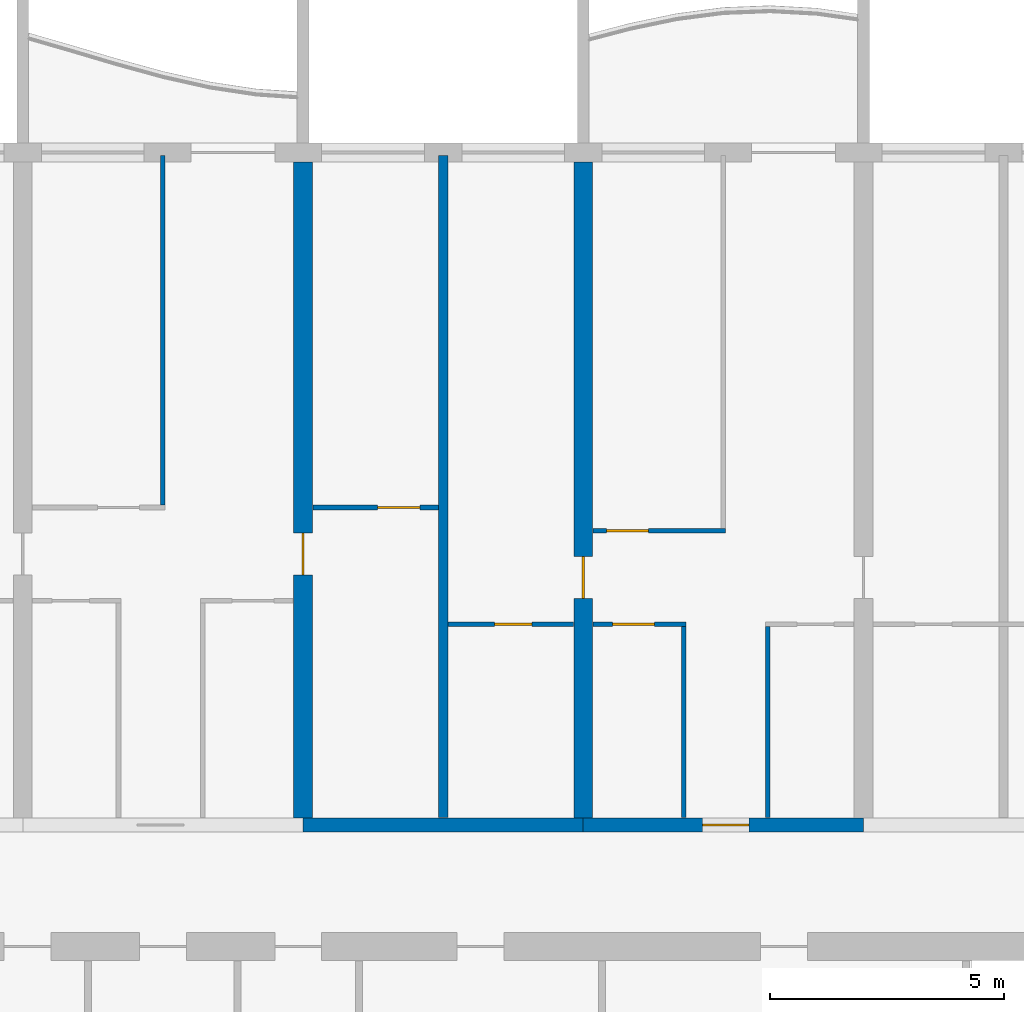
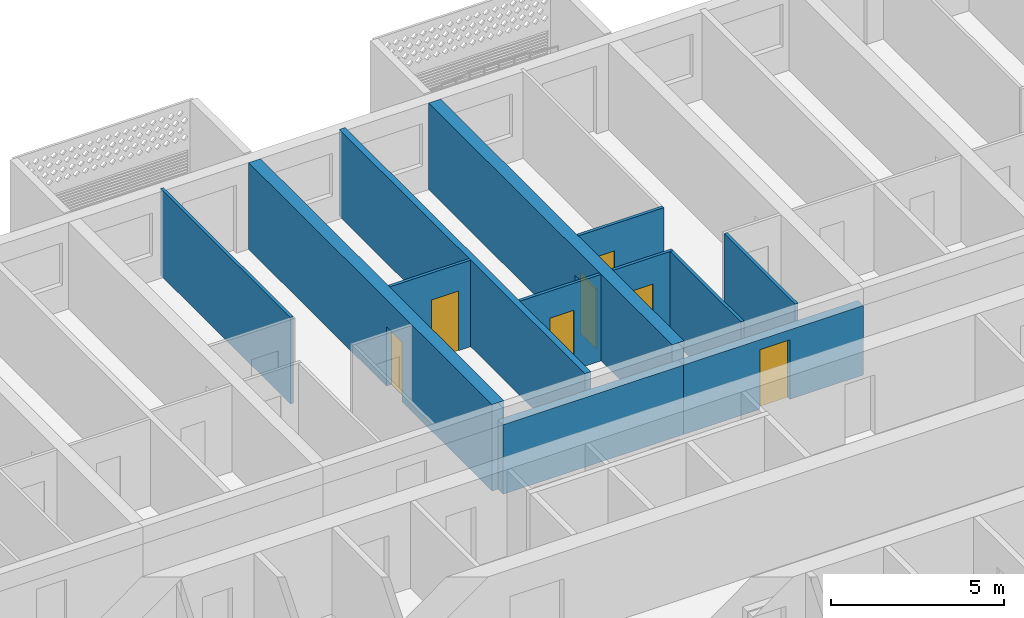
# One storey, part 12 of 40: 12 walls, 7 doors, 7 openings.
"""IFC4 building model written with IfcOpenShell, lengths in metres."""

from ifc_helpers import new_model, si_unit, direction, frame, frame_2d, origin, place, context, subcontext, project, spatial, rectangle, extrude, material, layer, layer_set, type_object, element, fill, save


model = new_model("IFC4")

# Units and contexts
model_context = context("Model", 3, precision=1e-05, world=origin(), true_north=direction((0.0, 1.0)))
body_context = subcontext(model_context, "Body", "Model", "MODEL_VIEW")
ifc_project = project(units=[si_unit("LENGTHUNIT", "METRE"), si_unit("AREAUNIT", "SQUARE_METRE"), si_unit("VOLUMEUNIT", "CUBIC_METRE"), si_unit("PLANEANGLEUNIT", "RADIAN"), si_unit("MASSUNIT", "GRAM", prefix="KILO")], contexts=[model_context])

# Site, building, storey
site_placement = place(None, origin())
site = spatial("IfcSite", under=ifc_project, at=site_placement, CompositionType="ELEMENT")
building_placement = place(site_placement, origin())
building = spatial("IfcBuilding", under=site, at=building_placement, Name="Poui Terraces", CompositionType="ELEMENT")
storey_placement = place(building_placement, frame((0.0, 0.0, 39.89990234375)))
storey = spatial("IfcBuildingStorey", under=building, at=storey_placement, Name="L10", CompositionType="ELEMENT", Elevation=39.89990234375)

# Wall
ifc_material_1 = material(Name="Concrete 80 MPa", Category="concrete")
ifc_layer_1 = layer(ifc_material_1, 0.300048828125)
ifc_layer_set_1 = layer_set([ifc_layer_1], Name="Concrete 80 MPa")
wall_type_1 = type_object("IfcWallType", Name="CORRIDOR WALL 300 80MPa", PredefinedType="SHEAR", material=ifc_layer_set_1)
wall_1_placement = place(storey_placement, frame((54.0, 30.39990234375, 0.0), z_axis=(0.0, 0.0, 1.0), x_axis=(1.0, 0.0, 0.0)))
element("IfcWall", 1, at=wall_1_placement, inside=storey, type_object=wall_type_1, Name="CORRIDOR WALL LINE E BAY 10", PredefinedType="SHEAR", context=body_context, shape_type="SweptSolid", body=[
    extrude(rectangle(XDim=6.0, YDim=0.300048828125, at=frame_2d((3.0, 0.0))), origin(), (0.0, 0.0, 1.0), 2.4501953125),
])

# Wall, opening, door
wall_2_placement = place(storey_placement, frame((60.0, 30.39990234375, 0.0), z_axis=(0.0, 0.0, 1.0), x_axis=(1.0, 0.0, 0.0)))
wall_2 = element("IfcWall", 2, at=wall_2_placement, inside=storey, type_object=wall_type_1, Name="CORRIDOR WALL LINE E BAY 11", PredefinedType="SHEAR", context=body_context, shape_type="SweptSolid", body=[
    extrude(rectangle(XDim=6.0, YDim=0.300048828125, at=frame_2d((3.0, 0.0))), origin(), (0.0, 0.0, 1.0), 2.4501953125),
])
opening_1_placement = place(wall_2_placement, frame((2.550048828125, 0.0, 0.0)))
opening_1 = element("IfcOpeningElement", 3, at=opening_1_placement, cuts=wall_2, Name="Opening FD30S", PredefinedType="OPENING", context=body_context, shape_type="SweptSolid", body=[
    extrude(rectangle(XDim=1.0, YDim=2.10009765625, at=frame_2d((0.5, 1.050048828125))), frame((0.0, 0.16015625, 0.0), z_axis=(0.0, -1.0, 0.0), x_axis=(1.0, 0.0, 0.0)), (0.0, 0.0, 1.0), 0.320068359375),
])
ifc_material_2 = material(Name="Steel fire door", Category="steel")
door_type_1 = type_object("IfcDoorType", Name="FLAT ENTRANCE DOOR 1000 X 2100", OperationType="NOTDEFINED", PredefinedType="DOOR", material=ifc_material_2)
door_1_placement = place(opening_1_placement, origin())
door_1 = element("IfcDoor", 4, at=door_1_placement, inside=storey, type_object=door_type_1, Name="FLAT ENTRANCE DOOR 068", OperationType="SINGLE_SWING_RIGHT", OverallHeight=2.10009765625, OverallWidth=1.0, PredefinedType="DOOR", context=body_context, shape_type="SweptSolid", body=[
    extrude(rectangle(XDim=1.0, YDim=2.10009765625, at=frame_2d((0.5, 1.050048828125))), frame((0.0, 0.02490234375, 0.0), z_axis=(0.0, -1.0, 0.0), x_axis=(1.0, 0.0, 0.0)), (0.0, 0.0, 1.0), 0.050048828125),
])
fill(opening_1, door_1)

ifc_layer_2 = layer(ifc_material_1, 0.39990234375)
ifc_layer_set_2 = layer_set([ifc_layer_2], Name="Concrete 80 MPa")
wall_type_2 = type_object("IfcWallType", Name="CROSS WALL 400 80MPa", PredefinedType="SHEAR", material=ifc_layer_set_2)
wall_3_placement = place(storey_placement, frame((54.0, 30.550048828125, 0.0), z_axis=(0.0, 0.0, 1.0), x_axis=(0.0, 1.0, 0.0)))
wall_3 = element("IfcWall", 5, at=wall_3_placement, inside=storey, type_object=wall_type_2, Name="CROSS WALL LINE 10 NORTH", PredefinedType="SHEAR", context=body_context, shape_type="SweptSolid", body=[
    extrude(rectangle(XDim=14.050048828125, YDim=0.39990234375, at=frame_2d((7.02490234375, 0.0))), origin(), (0.0, 0.0, 1.0), 3.050048828125),
])
opening_2_placement = place(wall_3_placement, frame((5.199951171875, 0.0, 0.0)))
opening_2 = element("IfcOpeningElement", 6, at=opening_2_placement, cuts=wall_3, Name="Opening D90", PredefinedType="OPENING", context=body_context, shape_type="SweptSolid", body=[
    extrude(rectangle(XDim=0.89990234375, YDim=2.10009765625, at=frame_2d((0.449951171875, 1.050048828125))), frame((0.0, 0.2099609375, 0.0), z_axis=(0.0, -1.0, 0.0), x_axis=(1.0, 0.0, 0.0)), (0.0, 0.0, 1.0), 0.419921875),
])
ifc_material_3 = material(Name="Solid core timber door", Category="wood")
door_type_2 = type_object("IfcDoorType", Name="INTERNAL DOOR 900 X 2100", OperationType="NOTDEFINED", PredefinedType="DOOR", material=ifc_material_3)
door_2_placement = place(opening_2_placement, origin())
door_2 = element("IfcDoor", 7, at=door_2_placement, inside=storey, type_object=door_type_2, Name="INTERNAL DOOR 062", OperationType="SINGLE_SWING_LEFT", OverallHeight=2.10009765625, OverallWidth=0.89990234375, PredefinedType="DOOR", context=body_context, shape_type="SweptSolid", body=[
    extrude(rectangle(XDim=0.89990234375, YDim=2.10009765625, at=frame_2d((0.449951171875, 1.050048828125))), frame((0.0, 0.02490234375, 0.0), z_axis=(0.0, -1.0, 0.0), x_axis=(1.0, 0.0, 0.0)), (0.0, 0.0, 1.0), 0.050048828125),
])
fill(opening_2, door_2)

wall_4_placement = place(storey_placement, frame((60.0, 30.550048828125, 0.0), z_axis=(0.0, 0.0, 1.0), x_axis=(0.0, 1.0, 0.0)))
wall_4 = element("IfcWall", 8, at=wall_4_placement, inside=storey, type_object=wall_type_2, Name="CROSS WALL LINE 11 NORTH", PredefinedType="SHEAR", context=body_context, shape_type="SweptSolid", body=[
    extrude(rectangle(XDim=14.050048828125, YDim=0.39990234375, at=frame_2d((7.02490234375, 0.0))), origin(), (0.0, 0.0, 1.0), 3.050048828125),
])
opening_3_placement = place(wall_4_placement, frame((4.699951171875, 0.0, 0.0)))
opening_3 = element("IfcOpeningElement", 9, at=opening_3_placement, cuts=wall_4, Name="Opening D90", PredefinedType="OPENING", context=body_context, shape_type="SweptSolid", body=[
    extrude(rectangle(XDim=0.89990234375, YDim=2.10009765625, at=frame_2d((0.449951171875, 1.050048828125))), frame((0.0, 0.2099609375, 0.0), z_axis=(0.0, -1.0, 0.0), x_axis=(1.0, 0.0, 0.0)), (0.0, 0.0, 1.0), 0.419921875),
])
door_3_placement = place(opening_3_placement, origin())
door_3 = element("IfcDoor", 10, at=door_3_placement, inside=storey, type_object=door_type_2, Name="INTERNAL DOOR 065", OperationType="SINGLE_SWING_LEFT", OverallHeight=2.10009765625, OverallWidth=0.89990234375, PredefinedType="DOOR", context=body_context, shape_type="SweptSolid", body=[
    extrude(rectangle(XDim=0.89990234375, YDim=2.10009765625, at=frame_2d((0.449951171875, 1.050048828125))), frame((0.0, 0.02490234375, 0.0), z_axis=(0.0, -1.0, 0.0), x_axis=(1.0, 0.0, 0.0)), (0.0, 0.0, 1.0), 0.050048828125),
])
fill(opening_3, door_3)

ifc_material_4 = material(Name="Plasterboard partition")
ifc_layer_3 = layer(ifc_material_4, 0.10009765625)
ifc_layer_set_3 = layer_set([ifc_layer_3], Name="Plasterboard partition")
wall_type_3 = type_object("IfcWallType", Name="FLAT PARTITION 100", PredefinedType="PARTITIONING", material=ifc_layer_set_3)
wall_5_placement = place(storey_placement, frame((57.10009765625, 34.699951171875, 0.0), z_axis=(0.0, 0.0, 1.0), x_axis=(1.0, 0.0, 0.0)))
wall_5 = element("IfcWall", 11, at=wall_5_placement, inside=storey, type_object=wall_type_3, Name="FLAT PARTITION 100", PredefinedType="PARTITIONING", context=body_context, shape_type="SweptSolid", body=[
    extrude(rectangle(XDim=2.68994140625, YDim=0.10009765625, at=frame_2d((1.344970703125, 0.0))), origin(), (0.0, 0.0, 1.0), 3.050048828125),
])
opening_4_placement = place(wall_5_placement, frame((1.0, 0.0, 0.0)))
opening_4 = element("IfcOpeningElement", 12, at=opening_4_placement, cuts=wall_5, Name="Opening D80", PredefinedType="OPENING", context=body_context, shape_type="SweptSolid", body=[
    extrude(rectangle(XDim=0.800048828125, YDim=2.10009765625, at=frame_2d((0.39990234375, 1.050048828125))), frame((0.0, 0.06005859375, 0.0), z_axis=(0.0, -1.0, 0.0), x_axis=(1.0, 0.0, 0.0)), (0.0, 0.0, 1.0), 0.1201171875),
])
door_type_3 = type_object("IfcDoorType", Name="BATHROOM, LAUNDRY AND STORE DOOR 800 X 2100", OperationType="NOTDEFINED", PredefinedType="DOOR", material=ifc_material_3)
door_4_placement = place(opening_4_placement, frame((0.800048828125, 0.0, 0.0), z_axis=(0.0, 0.0, 1.0), x_axis=(-1.0, 0.0, 0.0)))
door_4 = element("IfcDoor", 13, at=door_4_placement, inside=storey, type_object=door_type_3, Name="BATHROOM, LAUNDRY AND STORE DOOR 063", OperationType="SINGLE_SWING_RIGHT", OverallHeight=2.10009765625, OverallWidth=0.800048828125, PredefinedType="DOOR", context=body_context, shape_type="SweptSolid", body=[
    extrude(rectangle(XDim=0.800048828125, YDim=2.10009765625, at=frame_2d((0.39990234375, 1.050048828125))), frame((0.0, 0.02490234375, 0.0), z_axis=(0.0, -1.0, 0.0), x_axis=(1.0, 0.0, 0.0)), (0.0, 0.0, 1.0), 0.050048828125),
])
fill(opening_4, door_4)

wall_6_placement = place(storey_placement, frame((60.2099609375, 34.699951171875, 0.0), z_axis=(0.0, 0.0, 1.0), x_axis=(1.0, 0.0, 0.0)))
wall_6 = element("IfcWall", 14, at=wall_6_placement, inside=storey, type_object=wall_type_3, Name="FLAT PARTITION 100", PredefinedType="PARTITIONING", context=body_context, shape_type="SweptSolid", body=[
    extrude(rectangle(XDim=1.989990234375, YDim=0.10009765625, at=frame_2d((0.9951171875, 0.0))), origin(), (0.0, 0.0, 1.0), 3.050048828125),
])
opening_5_placement = place(wall_6_placement, frame((0.4150390625, 0.0, 0.0)))
opening_5 = element("IfcOpeningElement", 15, at=opening_5_placement, cuts=wall_6, Name="Opening D90", PredefinedType="OPENING", context=body_context, shape_type="SweptSolid", body=[
    extrude(rectangle(XDim=0.89990234375, YDim=2.10009765625, at=frame_2d((0.449951171875, 1.050048828125))), frame((0.0, 0.06005859375, 0.0), z_axis=(0.0, -1.0, 0.0), x_axis=(1.0, 0.0, 0.0)), (0.0, 0.0, 1.0), 0.1201171875),
])
door_5_placement = place(opening_5_placement, frame((0.89990234375, 0.0, 0.0), z_axis=(0.0, 0.0, 1.0), x_axis=(-1.0, 0.0, 0.0)))
door_5 = element("IfcDoor", 16, at=door_5_placement, inside=storey, type_object=door_type_2, Name="INTERNAL DOOR 067", OperationType="SINGLE_SWING_RIGHT", OverallHeight=2.10009765625, OverallWidth=0.89990234375, PredefinedType="DOOR", context=body_context, shape_type="SweptSolid", body=[
    extrude(rectangle(XDim=0.89990234375, YDim=2.10009765625, at=frame_2d((0.449951171875, 1.050048828125))), frame((0.0, 0.02490234375, 0.0), z_axis=(0.0, -1.0, 0.0), x_axis=(1.0, 0.0, 0.0)), (0.0, 0.0, 1.0), 0.050048828125),
])
fill(opening_5, door_5)

wall_7_placement = place(storey_placement, frame((60.2099609375, 36.699951171875, 0.0), z_axis=(0.0, 0.0, 1.0), x_axis=(1.0, 0.0, 0.0)))
wall_7 = element("IfcWall", 17, at=wall_7_placement, inside=storey, type_object=wall_type_3, Name="FLAT PARTITION 100", PredefinedType="PARTITIONING", context=body_context, shape_type="SweptSolid", body=[
    extrude(rectangle(XDim=2.840087890625, YDim=0.10009765625, at=frame_2d((1.419921875, 0.0))), origin(), (0.0, 0.0, 1.0), 3.050048828125),
])
opening_6_placement = place(wall_7_placement, frame((0.2900390625, 0.0, 0.0)))
opening_6 = element("IfcOpeningElement", 18, at=opening_6_placement, cuts=wall_7, Name="Opening D90", PredefinedType="OPENING", context=body_context, shape_type="SweptSolid", body=[
    extrude(rectangle(XDim=0.89990234375, YDim=2.10009765625, at=frame_2d((0.449951171875, 1.050048828125))), frame((0.0, 0.06005859375, 0.0), z_axis=(0.0, -1.0, 0.0), x_axis=(1.0, 0.0, 0.0)), (0.0, 0.0, 1.0), 0.1201171875),
])
door_6_placement = place(opening_6_placement, frame((0.89990234375, 0.0, 0.0), z_axis=(0.0, 0.0, 1.0), x_axis=(-1.0, 0.0, 0.0)))
door_6 = element("IfcDoor", 19, at=door_6_placement, inside=storey, type_object=door_type_2, Name="INTERNAL DOOR 066", OperationType="SINGLE_SWING_LEFT", OverallHeight=2.10009765625, OverallWidth=0.89990234375, PredefinedType="DOOR", context=body_context, shape_type="SweptSolid", body=[
    extrude(rectangle(XDim=0.89990234375, YDim=2.10009765625, at=frame_2d((0.449951171875, 1.050048828125))), frame((0.0, 0.02490234375, 0.0), z_axis=(0.0, -1.0, 0.0), x_axis=(1.0, 0.0, 0.0)), (0.0, 0.0, 1.0), 0.050048828125),
])
fill(opening_6, door_6)

wall_8_placement = place(storey_placement, frame((54.2099609375, 37.199951171875, 0.0), z_axis=(0.0, 0.0, 1.0), x_axis=(1.0, 0.0, 0.0)))
wall_8 = element("IfcWall", 20, at=wall_8_placement, inside=storey, type_object=wall_type_3, Name="FLAT PARTITION 100", PredefinedType="PARTITIONING", context=body_context, shape_type="SweptSolid", body=[
    extrude(rectangle(XDim=2.68994140625, YDim=0.10009765625, at=frame_2d((1.344970703125, 0.0))), origin(), (0.0, 0.0, 1.0), 3.050048828125),
])
opening_7_placement = place(wall_8_placement, frame((1.389892578125, 0.0, 0.0)))
opening_7 = element("IfcOpeningElement", 21, at=opening_7_placement, cuts=wall_8, Name="Opening D90", PredefinedType="OPENING", context=body_context, shape_type="SweptSolid", body=[
    extrude(rectangle(XDim=0.89990234375, YDim=2.10009765625, at=frame_2d((0.449951171875, 1.050048828125))), frame((0.0, 0.06005859375, 0.0), z_axis=(0.0, -1.0, 0.0), x_axis=(1.0, 0.0, 0.0)), (0.0, 0.0, 1.0), 0.1201171875),
])
door_7_placement = place(opening_7_placement, origin())
door_7 = element("IfcDoor", 22, at=door_7_placement, inside=storey, type_object=door_type_2, Name="INTERNAL DOOR 056", OperationType="SINGLE_SWING_RIGHT", OverallHeight=2.10009765625, OverallWidth=0.89990234375, PredefinedType="DOOR", context=body_context, shape_type="SweptSolid", body=[
    extrude(rectangle(XDim=0.89990234375, YDim=2.10009765625, at=frame_2d((0.449951171875, 1.050048828125))), frame((0.0, 0.02490234375, 0.0), z_axis=(0.0, -1.0, 0.0), x_axis=(1.0, 0.0, 0.0)), (0.0, 0.0, 1.0), 0.050048828125),
])
fill(opening_7, door_7)

# Walls
wall_9_placement = place(storey_placement, frame((51.0, 37.25, 0.0), z_axis=(0.0, 0.0, 1.0), x_axis=(0.0, 1.0, 0.0)))
element("IfcWall", 23, at=wall_9_placement, inside=storey, type_object=wall_type_3, Name="FLAT PARTITION 100", PredefinedType="PARTITIONING", context=body_context, shape_type="SweptSolid", body=[
    extrude(rectangle(XDim=7.489990234375, YDim=0.10009765625, at=frame_2d((3.7451171875, 0.0))), origin(), (0.0, 0.0, 1.0), 3.050048828125),
])
for number, where, z_axis, x_axis, name in (
    (24, (62.14990234375, 30.56005859375, 0.0), (0.0, 0.0, 1.0), (0.0, 1.0, 0.0), "FLAT PARTITION 100"),
    (25, (63.949951171875, 30.56005859375, 0.0), (0.0, 0.0, 1.0), (0.0, 1.0, 0.0), "FLAT PARTITION 100"),
):
    element("IfcWall", number, at=place(storey_placement, frame(where, z_axis=z_axis, x_axis=x_axis)), inside=storey, type_object=wall_type_3, Name=name, PredefinedType="PARTITIONING", context=body_context, shape_type="SweptSolid", body=[
        extrude(rectangle(XDim=4.08984375, YDim=0.10009765625, at=frame_2d((2.044921875, 0.0))), origin(), (0.0, 0.0, 1.0), 3.050048828125),
    ])
ifc_material_5 = material(Name="Fire-rated masonry wall", Category="masonry")
ifc_layer_4 = layer(ifc_material_5, 0.199951171875)
ifc_layer_set_4 = layer_set([ifc_layer_4], Name="Fire-rated masonry wall")
wall_type_4 = type_object("IfcWallType", Name="FLAT PARTY WALL 200", PredefinedType="PARTITIONING", material=ifc_layer_set_4)
wall_10_placement = place(storey_placement, frame((57.0, 30.56005859375, 0.0), z_axis=(0.0, 0.0, 1.0), x_axis=(0.0, 1.0, 0.0)))
element("IfcWall", 26, at=wall_10_placement, inside=storey, type_object=wall_type_4, Name="FLAT PARTY WALL 200", PredefinedType="PARTITIONING", context=body_context, shape_type="SweptSolid", body=[
    extrude(rectangle(XDim=14.179931640625, YDim=0.199951171875, at=frame_2d((7.08984375, 0.0))), origin(), (0.0, 0.0, 1.0), 3.050048828125),
])

save(model, "model.ifc")
